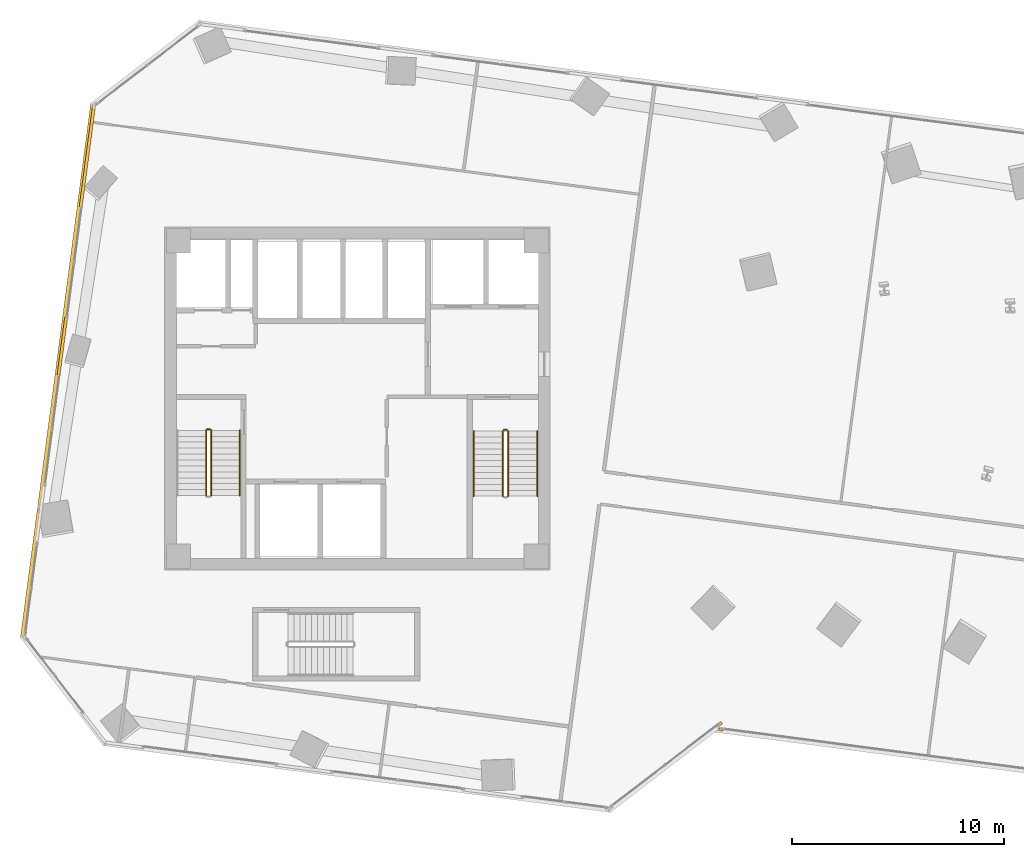
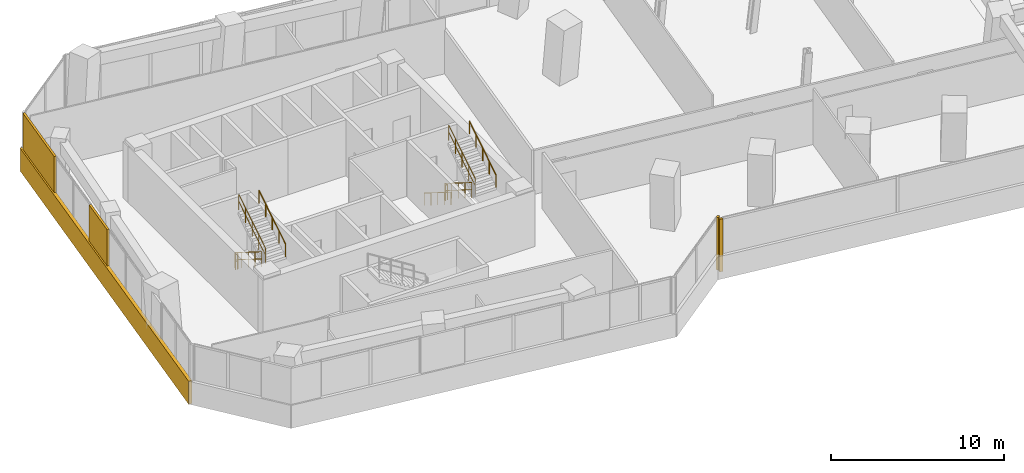
# One storey, part 22 of 24: 9 railings, 5 coverings.
"""IFC4 building model written with IfcOpenShell, lengths in metres."""

from ifc_helpers import new_model, si_unit, direction, frame, origin, origin_2d, place, context, subcontext, project, spatial, rectangle, circle, extrude, source, transform, mapped, material, layer, layer_set, type_object, element, save


model = new_model("IFC4")

# Units and contexts
model_context = context("Model", 3, precision=1e-05, world=origin(), true_north=direction((0.0, 1.0)))
body_context = subcontext(model_context, "Body", "Model", "MODEL_VIEW")
ifc_project = project(units=[si_unit("LENGTHUNIT", "METRE"), si_unit("AREAUNIT", "SQUARE_METRE"), si_unit("VOLUMEUNIT", "CUBIC_METRE"), si_unit("PLANEANGLEUNIT", "RADIAN"), si_unit("MASSUNIT", "GRAM", prefix="KILO")], contexts=[model_context])

# Site, building, storey
site_placement = place(None, origin())
site = spatial("IfcSite", under=ifc_project, at=site_placement, CompositionType="ELEMENT")
building_placement = place(site_placement, origin())
building = spatial("IfcBuilding", under=site, at=building_placement, Name="Torre Montelarca", CompositionType="ELEMENT")
storey_placement = place(building_placement, frame((0.0, 0.0, 66.39990234375)))
storey = spatial("IfcBuildingStorey", under=building, at=storey_placement, Name="L14", CompositionType="ELEMENT", Elevation=66.39990234375)

# Railings
ifc_material_1 = material(Name="Powder-coated steel ASTM A500 Grade C", Category="steel")
railing_type_1 = type_object("IfcRailingType", Name="RL-GUARD-1100", PredefinedType="BALUSTRADE", material=ifc_material_1)
railing_1_placement = place(storey_placement, frame((10.85009765625, 30.5, 0.175048828125)))
element("IfcRailing", 1, at=railing_1_placement, inside=storey, type_object=railing_type_1, Name="L14 ST1 stair guard 1", PredefinedType="BALUSTRADE", context=body_context, shape_type="SweptSolid", body=[
    extrude(circle(Radius=0.02392578125, at=origin_2d()), frame((0.0, 0.0, 1.076171875), z_axis=(0.0, -0.847998304005, 0.529998940003), x_axis=(1.0, 0.0, 0.0)), (0.0, 0.0, 1.0), 3.632080078125),
    extrude(circle(Radius=0.02099609375, at=origin_2d()), frame((0.0, 0.0, 0.572021484375), z_axis=(0.0, -0.847998304005, 0.529998940003), x_axis=(1.0, 0.0, 0.0)), (0.0, 0.0, 1.0), 3.632080078125),
    extrude(circle(Radius=0.02099609375, at=origin_2d()), origin(), (0.0, 0.0, 1.0), 1.052001953125),
    extrude(circle(Radius=0.02099609375, at=origin_2d()), frame((0.0, -0.77001953125, 0.481201171875)), (0.0, 0.0, 1.0), 1.052001953125),
    extrude(circle(Radius=0.02099609375, at=origin_2d()), frame((0.0, -1.5400390625, 0.96240234375)), (0.0, 0.0, 1.0), 1.052001953125),
    extrude(circle(Radius=0.02099609375, at=origin_2d()), frame((0.0, -2.31005859375, 1.44384765625)), (0.0, 0.0, 1.0), 1.052001953125),
    extrude(circle(Radius=0.02099609375, at=origin_2d()), frame((0.0, -3.080078125, 1.925048828125)), (0.0, 0.0, 1.0), 1.052001953125),
])
railing_2_placement = place(storey_placement, frame((11.10009765625, 27.419921875, 2.275146484375)))
element("IfcRailing", 2, at=railing_2_placement, inside=storey, type_object=railing_type_1, Name="L14 ST1 stair guard 3", PredefinedType="BALUSTRADE", context=body_context, shape_type="SweptSolid", body=[
    extrude(circle(Radius=0.02392578125, at=origin_2d()), frame((0.0, 0.0, 1.076171875), z_axis=(0.0, 0.847998304005, 0.529998940003), x_axis=(-1.0, 0.0, 0.0)), (0.0, 0.0, 1.0), 3.632080078125),
    extrude(circle(Radius=0.02099609375, at=origin_2d()), frame((0.0, 0.0, 0.572021484375), z_axis=(0.0, 0.847998304005, 0.529998940003), x_axis=(-1.0, 0.0, 0.0)), (0.0, 0.0, 1.0), 3.632080078125),
    extrude(circle(Radius=0.02099609375, at=origin_2d()), origin(), (0.0, 0.0, 1.0), 1.052001953125),
    extrude(circle(Radius=0.02099609375, at=origin_2d()), frame((0.0, 0.77001953125, 0.481201171875)), (0.0, 0.0, 1.0), 1.052001953125),
    extrude(circle(Radius=0.02099609375, at=origin_2d()), frame((0.0, 1.5400390625, 0.96240234375)), (0.0, 0.0, 1.0), 1.052001953125),
    extrude(circle(Radius=0.02099609375, at=origin_2d()), frame((0.0, 2.31005859375, 1.44384765625)), (0.0, 0.0, 1.0), 1.052001953125),
    extrude(circle(Radius=0.02099609375, at=origin_2d()), frame((0.0, 3.080078125, 1.925048828125)), (0.0, 0.0, 1.0), 1.052001953125),
])
railing_3_placement = place(storey_placement, frame((10.89990234375, 30.550048828125, 0.0)))
element("IfcRailing", 3, at=railing_3_placement, inside=storey, type_object=railing_type_1, Name="L14 ST1 stair guard 4", PredefinedType="BALUSTRADE", context=body_context, shape_type="SweptSolid", body=[
    extrude(circle(Radius=0.02392578125, at=origin_2d()), frame((0.0, 0.0, 1.076171875), z_axis=(1.0, 0.0, 0.0), x_axis=(0.0, 1.0, 0.0)), (0.0, 0.0, 1.0), 0.150146484375),
    extrude(circle(Radius=0.02099609375, at=origin_2d()), frame((0.0, 0.0, 0.572021484375), z_axis=(1.0, 0.0, 0.0), x_axis=(0.0, 1.0, 0.0)), (0.0, 0.0, 1.0), 0.150146484375),
    extrude(circle(Radius=0.02099609375, at=origin_2d()), origin(), (0.0, 0.0, 1.0), 1.052001953125),
    extrude(circle(Radius=0.02099609375, at=origin_2d()), frame((0.150146484375, 0.0, 0.0)), (0.0, 0.0, 1.0), 1.052001953125),
])
railing_4_placement = place(storey_placement, frame((24.8701171875, 30.469970703125, 0.175048828125)))
element("IfcRailing", 4, at=railing_4_placement, inside=storey, type_object=railing_type_1, Name="L14 ST2 stair guard 1", PredefinedType="BALUSTRADE", context=body_context, shape_type="SweptSolid", body=[
    extrude(circle(Radius=0.02392578125, at=origin_2d()), frame((0.0, 0.0, 1.076171875), z_axis=(0.0, -0.847998304005, 0.529998940003), x_axis=(1.0, 0.0, 0.0)), (0.0, 0.0, 1.0), 3.632080078125),
    extrude(circle(Radius=0.02099609375, at=origin_2d()), frame((0.0, 0.0, 0.572021484375), z_axis=(0.0, -0.847998304005, 0.529998940003), x_axis=(1.0, 0.0, 0.0)), (0.0, 0.0, 1.0), 3.632080078125),
    extrude(circle(Radius=0.02099609375, at=origin_2d()), origin(), (0.0, 0.0, 1.0), 1.052001953125),
    extrude(circle(Radius=0.02099609375, at=origin_2d()), frame((0.0, -0.77001953125, 0.481201171875)), (0.0, 0.0, 1.0), 1.052001953125),
    extrude(circle(Radius=0.02099609375, at=origin_2d()), frame((0.0, -1.5400390625, 0.96240234375)), (0.0, 0.0, 1.0), 1.052001953125),
    extrude(circle(Radius=0.02099609375, at=origin_2d()), frame((0.0, -2.31005859375, 1.44384765625)), (0.0, 0.0, 1.0), 1.052001953125),
    extrude(circle(Radius=0.02099609375, at=origin_2d()), frame((0.0, -3.080078125, 1.925048828125)), (0.0, 0.0, 1.0), 1.052001953125),
])
railing_5_placement = place(storey_placement, frame((25.1201171875, 27.389892578125, 2.275146484375)))
element("IfcRailing", 5, at=railing_5_placement, inside=storey, type_object=railing_type_1, Name="L14 ST2 stair guard 3", PredefinedType="BALUSTRADE", context=body_context, shape_type="SweptSolid", body=[
    extrude(circle(Radius=0.02392578125, at=origin_2d()), frame((0.0, 0.0, 1.076171875), z_axis=(0.0, 0.847998304005, 0.529998940003), x_axis=(-1.0, 0.0, 0.0)), (0.0, 0.0, 1.0), 3.632080078125),
    extrude(circle(Radius=0.02099609375, at=origin_2d()), frame((0.0, 0.0, 0.572021484375), z_axis=(0.0, 0.847998304005, 0.529998940003), x_axis=(-1.0, 0.0, 0.0)), (0.0, 0.0, 1.0), 3.632080078125),
    extrude(circle(Radius=0.02099609375, at=origin_2d()), origin(), (0.0, 0.0, 1.0), 1.052001953125),
    extrude(circle(Radius=0.02099609375, at=origin_2d()), frame((0.0, 0.77001953125, 0.481201171875)), (0.0, 0.0, 1.0), 1.052001953125),
    extrude(circle(Radius=0.02099609375, at=origin_2d()), frame((0.0, 1.5400390625, 0.96240234375)), (0.0, 0.0, 1.0), 1.052001953125),
    extrude(circle(Radius=0.02099609375, at=origin_2d()), frame((0.0, 2.31005859375, 1.44384765625)), (0.0, 0.0, 1.0), 1.052001953125),
    extrude(circle(Radius=0.02099609375, at=origin_2d()), frame((0.0, 3.080078125, 1.925048828125)), (0.0, 0.0, 1.0), 1.052001953125),
])
railing_6_placement = place(storey_placement, frame((24.919921875, 30.52001953125, 0.0)))
element("IfcRailing", 6, at=railing_6_placement, inside=storey, type_object=railing_type_1, Name="L14 ST2 stair guard 4", PredefinedType="BALUSTRADE", context=body_context, shape_type="SweptSolid", body=[
    extrude(circle(Radius=0.02392578125, at=origin_2d()), frame((0.0, 0.0, 1.076171875), z_axis=(1.0, 0.0, 0.0), x_axis=(0.0, 1.0, 0.0)), (0.0, 0.0, 1.0), 0.150146484375),
    extrude(circle(Radius=0.02099609375, at=origin_2d()), frame((0.0, 0.0, 0.572021484375), z_axis=(1.0, 0.0, 0.0), x_axis=(0.0, 1.0, 0.0)), (0.0, 0.0, 1.0), 0.150146484375),
    extrude(circle(Radius=0.02099609375, at=origin_2d()), origin(), (0.0, 0.0, 1.0), 1.052001953125),
    extrude(circle(Radius=0.02099609375, at=origin_2d()), frame((0.150146484375, 0.0, 0.0)), (0.0, 0.0, 1.0), 1.052001953125),
])
ifc_material_2 = material(Name="Brushed stainless steel AISI 316", Category="steel")
railing_type_2 = type_object("IfcRailingType", Name="RL-HANDRAIL-900", PredefinedType="HANDRAIL", material=ifc_material_2)
railing_7_placement = place(storey_placement, frame((12.449951171875, 27.419921875, 2.275146484375)))
element("IfcRailing", 7, at=railing_7_placement, inside=storey, type_object=railing_type_2, Name="L14 ST1 stair handrail 2", PredefinedType="HANDRAIL", context=body_context, shape_type="SweptSolid", body=[
    extrude(circle(Radius=0.02392578125, at=origin_2d()), frame((0.0, 0.0, 0.8759765625), z_axis=(0.0, 0.847998304005, 0.529998940003), x_axis=(-1.0, 0.0, 0.0)), (0.0, 0.0, 1.0), 3.632080078125),
    extrude(circle(Radius=0.02099609375, at=origin_2d()), origin(), (0.0, 0.0, 1.0), 0.851806640625),
    extrude(circle(Radius=0.02099609375, at=origin_2d()), frame((0.0, 0.77001953125, 0.481201171875)), (0.0, 0.0, 1.0), 0.851806640625),
    extrude(circle(Radius=0.02099609375, at=origin_2d()), frame((0.0, 1.5400390625, 0.96240234375)), (0.0, 0.0, 1.0), 0.851806640625),
    extrude(circle(Radius=0.02099609375, at=origin_2d()), frame((0.0, 2.31005859375, 1.44384765625)), (0.0, 0.0, 1.0), 0.851806640625),
    extrude(circle(Radius=0.02099609375, at=origin_2d()), frame((0.0, 3.080078125, 1.925048828125)), (0.0, 0.0, 1.0), 0.851806640625),
])
railing_8_placement = place(storey_placement, frame((23.489990234375, 30.469970703125, 0.175048828125)))
element("IfcRailing", 8, at=railing_8_placement, inside=storey, type_object=railing_type_2, Name="L14 ST2 stair handrail 1", PredefinedType="HANDRAIL", context=body_context, shape_type="SweptSolid", body=[
    extrude(circle(Radius=0.02392578125, at=origin_2d()), frame((0.0, 0.0, 0.8759765625), z_axis=(0.0, -0.847998304005, 0.529998940003), x_axis=(1.0, 0.0, 0.0)), (0.0, 0.0, 1.0), 3.632080078125),
    extrude(circle(Radius=0.02099609375, at=origin_2d()), origin(), (0.0, 0.0, 1.0), 0.851806640625),
    extrude(circle(Radius=0.02099609375, at=origin_2d()), frame((0.0, -0.77001953125, 0.481201171875)), (0.0, 0.0, 1.0), 0.851806640625),
    extrude(circle(Radius=0.02099609375, at=origin_2d()), frame((0.0, -1.5400390625, 0.96240234375)), (0.0, 0.0, 1.0), 0.851806640625),
    extrude(circle(Radius=0.02099609375, at=origin_2d()), frame((0.0, -2.31005859375, 1.44384765625)), (0.0, 0.0, 1.0), 0.851806640625),
    extrude(circle(Radius=0.02099609375, at=origin_2d()), frame((0.0, -3.080078125, 1.925048828125)), (0.0, 0.0, 1.0), 0.851806640625),
])
railing_9_placement = place(storey_placement, frame((26.5, 27.389892578125, 2.275146484375)))
element("IfcRailing", 9, at=railing_9_placement, inside=storey, type_object=railing_type_2, Name="L14 ST2 stair handrail 2", PredefinedType="HANDRAIL", context=body_context, shape_type="SweptSolid", body=[
    extrude(circle(Radius=0.02392578125, at=origin_2d()), frame((0.0, 0.0, 0.8759765625), z_axis=(0.0, 0.847998304005, 0.529998940003), x_axis=(-1.0, 0.0, 0.0)), (0.0, 0.0, 1.0), 3.632080078125),
    extrude(circle(Radius=0.02099609375, at=origin_2d()), origin(), (0.0, 0.0, 1.0), 0.851806640625),
    extrude(circle(Radius=0.02099609375, at=origin_2d()), frame((0.0, 0.77001953125, 0.481201171875)), (0.0, 0.0, 1.0), 0.851806640625),
    extrude(circle(Radius=0.02099609375, at=origin_2d()), frame((0.0, 1.5400390625, 0.96240234375)), (0.0, 0.0, 1.0), 0.851806640625),
    extrude(circle(Radius=0.02099609375, at=origin_2d()), frame((0.0, 2.31005859375, 1.44384765625)), (0.0, 0.0, 1.0), 0.851806640625),
    extrude(circle(Radius=0.02099609375, at=origin_2d()), frame((0.0, 3.080078125, 1.925048828125)), (0.0, 0.0, 1.0), 0.851806640625),
])

# Coverings
ifc_material_3 = material(Name="Bush-hammered warm white precast concrete C45/55", Category="concrete")
ifc_layer = layer(ifc_material_3, 0.139892578125, Name="Bush-hammered warm white precast concrete C45/55", Category="concrete")
ifc_layer_set = layer_set([ifc_layer], Name="Bush-hammered warm white precast concrete C45/55")
covering_type = type_object("IfcCoveringType", Name="COV-TRAY-CLAD", PredefinedType="CLADDING", material=ifc_layer_set)
shared_shape_1 = source(origin(), body_context, "Body", "SweptSolid", [
    extrude(rectangle(XDim=25.52001953125, YDim=0.219970703125, at=origin_2d()), origin(), (0.0, 0.0, 1.0), 1.6201171875),
])
covering_1_placement = place(storey_placement, frame((3.8505859375, 33.31494140625, -0.449951171875), z_axis=(0.0, 0.0, 1.0), x_axis=(-0.130527922618, -0.991444633561, 0.0)))
element("IfcCovering", 10, at=covering_1_placement, inside=storey, type_object=covering_type, Name="L14 Architectural White Spandrel Tray Band TRYBOT-10", PredefinedType="CLADDING", context=body_context, shape_type="MappedRepresentation", body=[
    mapped(shared_shape_1, transform((0.0, 0.0, 0.0), scale=1.0)),
])
shared_shape_2 = source(origin(), body_context, "Body", "SweptSolid", [
    extrude(rectangle(XDim=0.199951171875, YDim=0.139892578125, at=origin_2d()), origin(), (0.0, 0.0, 1.0), 3.719970703125),
])
for number, where, z_axis, x_axis, name in (
    (11, (35.125, 16.631591796875, 0.0), (0.0, 0.0, 1.0), (0.793349090315, 0.608766967645, 0.0), "L14 Architectural Column Pier Cladding E02-2"),
    (12, (35.169189453125, 16.3720703125, 0.0), (0.0, 0.0, 1.0), (0.991444861374, -0.13052619222, 0.0), "L14 Architectural Column Pier Cladding E04-1"),
):
    element("IfcCovering", number, at=place(storey_placement, frame(where, z_axis=z_axis, x_axis=x_axis)), inside=storey, type_object=covering_type, Name=name, PredefinedType="CLADDING", context=body_context, shape_type="MappedRepresentation", body=[
        mapped(shared_shape_2, transform((0.0, 0.0, 0.0), scale=1.0)),
    ])
shared_shape_3 = source(origin(), body_context, "Body", "SweptSolid", [
    extrude(rectangle(XDim=4.76416015625, YDim=0.139892578125, at=origin_2d()), origin(), (0.0, 0.0, 1.0), 3.719970703125),
])
covering_2_placement = place(storey_placement, frame((5.24169921875, 43.421875, 0.0), z_axis=(0.0, 0.0, 1.0), x_axis=(-0.130527922618, -0.991444633561, 0.0)))
element("IfcCovering", 13, at=covering_2_placement, inside=storey, type_object=covering_type, Name="L14 Architectural Column Pier Cladding E10-2", PredefinedType="CLADDING", context=body_context, shape_type="MappedRepresentation", body=[
    mapped(shared_shape_3, transform((0.0, 0.0, 0.0), scale=1.0)),
])
shared_shape_4 = source(origin(), body_context, "Body", "SweptSolid", [
    extrude(rectangle(XDim=2.7275390625, YDim=0.139892578125, at=origin_2d()), origin(), (0.0, 0.0, 1.0), 3.719970703125),
])
covering_3_placement = place(storey_placement, frame((4.064697265625, 34.480712890625, 0.0), z_axis=(0.0, 0.0, 1.0), x_axis=(-0.130527922618, -0.991444633561, 0.0)))
element("IfcCovering", 14, at=covering_3_placement, inside=storey, type_object=covering_type, Name="L14 Architectural Column Pier Cladding E10-3", PredefinedType="CLADDING", context=body_context, shape_type="MappedRepresentation", body=[
    mapped(shared_shape_4, transform((0.0, 0.0, 0.0), scale=1.0)),
])

save(model, "model.ifc")
